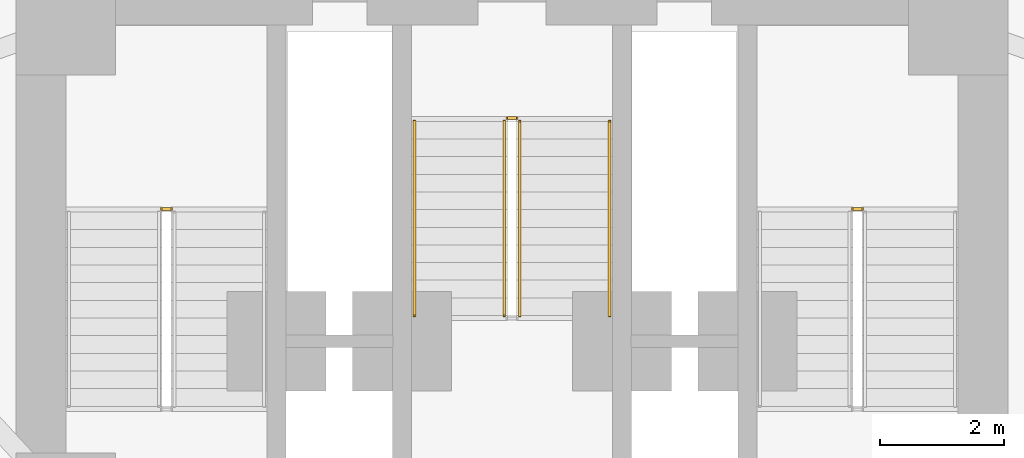
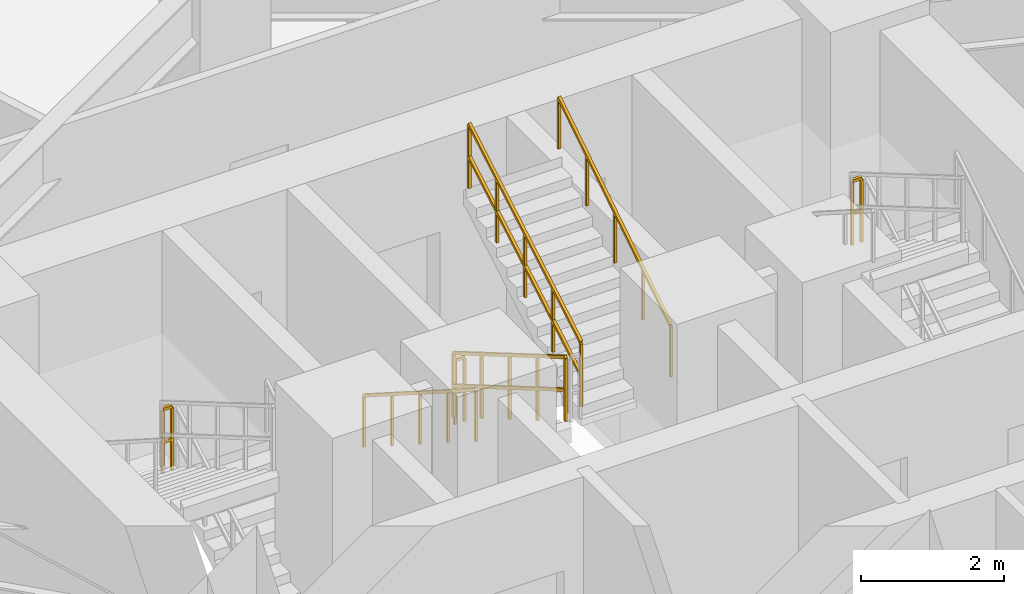
# One storey, part 11 of 12: 7 railings.
"""IFC4 building model written with IfcOpenShell, lengths in metres."""

from ifc_helpers import new_model, si_unit, direction, frame, origin, origin_2d, place, context, subcontext, project, spatial, rectangle, extrude, material, type_object, element, save


model = new_model("IFC4")

# Units and contexts
model_context = context("Model", 3, precision=1e-05, world=origin(), true_north=direction((0.0, 1.0)))
body_context = subcontext(model_context, "Body", "Model", "MODEL_VIEW")
ifc_project = project(units=[si_unit("LENGTHUNIT", "METRE"), si_unit("AREAUNIT", "SQUARE_METRE"), si_unit("VOLUMEUNIT", "CUBIC_METRE"), si_unit("PLANEANGLEUNIT", "RADIAN"), si_unit("MASSUNIT", "GRAM", prefix="KILO")], contexts=[model_context])

# Site, building, storey
site_placement = place(None, origin())
site = spatial("IfcSite", under=ifc_project, at=site_placement, CompositionType="ELEMENT")
building_placement = place(site_placement, origin())
building = spatial("IfcBuilding", under=site, at=building_placement, Name="Apsidion Concourse Tower", CompositionType="ELEMENT")
storey_placement = place(building_placement, frame((0.0, 0.0, 50.39990234375)))
storey = spatial("IfcBuildingStorey", under=building, at=storey_placement, Name="L10", CompositionType="ELEMENT", Elevation=50.39990234375)

# Railings
ifc_material = material(Name="Brushed stainless steel 316", Category="steel")
railing_type_1 = type_object("IfcRailingType", Name="RL-GUARD-1100", PredefinedType="GUARDRAIL", material=ifc_material)
for number, where, name in (
    (1, (-5.5, 6.18505859375, 2.0), "L10 ST1 stair guard 2"),
    (2, (5.64990234375, 6.18505859375, 2.0), "L10 ST2 stair guard 2"),
):
    element("IfcRailing", number, at=place(storey_placement, frame(where)), inside=storey, type_object=railing_type_1, Name=name, PredefinedType="GUARDRAIL", context=body_context, shape_type="SweptSolid", body=[
        extrude(rectangle(XDim=0.048095703125, YDim=0.048095703125, at=origin_2d()), frame((0.0, 0.0, 1.09619140625), z_axis=(-1.0, 0.0, 0.0), x_axis=(0.0, -1.0, 0.0)), (0.0, 0.0, 1.0), 0.14990234375),
        extrude(rectangle(XDim=0.048095703125, YDim=0.048095703125, at=origin_2d()), frame((0.0, 0.0, 0.5361328125), z_axis=(-1.0, 0.0, 0.0), x_axis=(0.0, -1.0, 0.0)), (0.0, 0.0, 1.0), 0.14990234375),
        extrude(rectangle(XDim=0.0419921875, YDim=0.0419921875, at=origin_2d()), origin(), (0.0, 0.0, 1.0), 1.072021484375),
        extrude(rectangle(XDim=0.0419921875, YDim=0.0419921875, at=origin_2d()), frame((-0.14990234375, 0.0, 0.0)), (0.0, 0.0, 1.0), 1.072021484375),
    ])
railing_1_placement = place(storey_placement, frame((-0.125, 7.60009765625, 0.166748046875)))
element("IfcRailing", 3, at=railing_1_placement, inside=storey, type_object=railing_type_1, Name="L10 ST3 stair guard 1", PredefinedType="GUARDRAIL", context=body_context, shape_type="SweptSolid", body=[
    extrude(rectangle(XDim=0.048095703125, YDim=0.048095703125, at=origin_2d()), frame((0.0, 0.0, 1.09619140625), z_axis=(0.0, -0.863239559939, 0.504794475164), x_axis=(1.0, 0.0, 0.0)), (0.0, 0.0, 1.0), 3.631591796875),
    extrude(rectangle(XDim=0.048095703125, YDim=0.048095703125, at=origin_2d()), frame((0.0, 0.0, 0.5361328125), z_axis=(0.0, -0.863239559939, 0.504794475164), x_axis=(1.0, 0.0, 0.0)), (0.0, 0.0, 1.0), 3.631591796875),
    extrude(rectangle(XDim=0.0419921875, YDim=0.0419921875, at=origin_2d()), origin(), (0.0, 0.0, 1.0), 1.072021484375),
    extrude(rectangle(XDim=0.0419921875, YDim=0.0419921875, at=origin_2d()), frame((0.0, -0.78369140625, 0.458251953125)), (0.0, 0.0, 1.0), 1.072021484375),
    extrude(rectangle(XDim=0.0419921875, YDim=0.0419921875, at=origin_2d()), frame((0.0, -1.5673828125, 0.91650390625)), (0.0, 0.0, 1.0), 1.072021484375),
    extrude(rectangle(XDim=0.0419921875, YDim=0.0419921875, at=origin_2d()), frame((0.0, -2.351318359375, 1.375)), (0.0, 0.0, 1.0), 1.072021484375),
    extrude(rectangle(XDim=0.0419921875, YDim=0.0419921875, at=origin_2d()), frame((0.0, -3.135009765625, 1.833251953125)), (0.0, 0.0, 1.0), 1.072021484375),
])
railing_2_placement = place(storey_placement, frame((0.125, 4.465087890625, 2.166748046875)))
element("IfcRailing", 4, at=railing_2_placement, inside=storey, type_object=railing_type_1, Name="L10 ST3 stair guard 3", PredefinedType="GUARDRAIL", context=body_context, shape_type="SweptSolid", body=[
    extrude(rectangle(XDim=0.048095703125, YDim=0.048095703125, at=origin_2d()), frame((0.0, 0.0, 1.09619140625), z_axis=(0.0, 0.863239559939, 0.504794475164), x_axis=(-1.0, 0.0, 0.0)), (0.0, 0.0, 1.0), 3.631591796875),
    extrude(rectangle(XDim=0.048095703125, YDim=0.048095703125, at=origin_2d()), frame((0.0, 0.0, 0.5361328125), z_axis=(0.0, 0.863239559939, 0.504794475164), x_axis=(-1.0, 0.0, 0.0)), (0.0, 0.0, 1.0), 3.631591796875),
    extrude(rectangle(XDim=0.0419921875, YDim=0.0419921875, at=origin_2d()), origin(), (0.0, 0.0, 1.0), 1.072021484375),
    extrude(rectangle(XDim=0.0419921875, YDim=0.0419921875, at=origin_2d()), frame((0.0, 0.78369140625, 0.458251953125)), (0.0, 0.0, 1.0), 1.072021484375),
    extrude(rectangle(XDim=0.0419921875, YDim=0.0419921875, at=origin_2d()), frame((0.0, 1.5673828125, 0.91650390625)), (0.0, 0.0, 1.0), 1.072021484375),
    extrude(rectangle(XDim=0.0419921875, YDim=0.0419921875, at=origin_2d()), frame((0.0, 2.351318359375, 1.375)), (0.0, 0.0, 1.0), 1.072021484375),
    extrude(rectangle(XDim=0.0419921875, YDim=0.0419921875, at=origin_2d()), frame((0.0, 3.135009765625, 1.833251953125)), (0.0, 0.0, 1.0), 1.072021484375),
])
railing_3_placement = place(storey_placement, frame((-0.074951171875, 7.64990234375, 0.0)))
element("IfcRailing", 5, at=railing_3_placement, inside=storey, type_object=railing_type_1, Name="L10 ST3 stair guard 4", PredefinedType="GUARDRAIL", context=body_context, shape_type="SweptSolid", body=[
    extrude(rectangle(XDim=0.048095703125, YDim=0.048095703125, at=origin_2d()), frame((0.0, 0.0, 1.09619140625), z_axis=(1.0, 0.0, 0.0), x_axis=(0.0, 1.0, 0.0)), (0.0, 0.0, 1.0), 0.14990234375),
    extrude(rectangle(XDim=0.048095703125, YDim=0.048095703125, at=origin_2d()), frame((0.0, 0.0, 0.5361328125), z_axis=(1.0, 0.0, 0.0), x_axis=(0.0, 1.0, 0.0)), (0.0, 0.0, 1.0), 0.14990234375),
    extrude(rectangle(XDim=0.0419921875, YDim=0.0419921875, at=origin_2d()), origin(), (0.0, 0.0, 1.0), 1.072021484375),
    extrude(rectangle(XDim=0.0419921875, YDim=0.0419921875, at=origin_2d()), frame((0.14990234375, 0.0, 0.0)), (0.0, 0.0, 1.0), 1.072021484375),
])
railing_type_2 = type_object("IfcRailingType", Name="RL-HAND-900", PredefinedType="HANDRAIL", material=ifc_material)
railing_4_placement = place(storey_placement, frame((-1.574951171875, 7.60009765625, 0.166748046875)))
element("IfcRailing", 6, at=railing_4_placement, inside=storey, type_object=railing_type_2, Name="L10 ST3 stair handrail 1", PredefinedType="HANDRAIL", context=body_context, shape_type="SweptSolid", body=[
    extrude(rectangle(XDim=0.048095703125, YDim=0.048095703125, at=origin_2d()), frame((0.0, 0.0, 0.8759765625), z_axis=(0.0, -0.843052688722, 0.537830980921), x_axis=(1.0, 0.0, 0.0)), (0.0, 0.0, 1.0), 3.71875),
    extrude(rectangle(XDim=0.0419921875, YDim=0.0419921875, at=origin_2d()), origin(), (0.0, 0.0, 1.0), 0.851806640625),
    extrude(rectangle(XDim=0.0419921875, YDim=0.0419921875, at=origin_2d()), frame((0.0, -0.78369140625, 0.5)), (0.0, 0.0, 1.0), 0.851806640625),
    extrude(rectangle(XDim=0.0419921875, YDim=0.0419921875, at=origin_2d()), frame((0.0, -1.5673828125, 1.0)), (0.0, 0.0, 1.0), 0.851806640625),
    extrude(rectangle(XDim=0.0419921875, YDim=0.0419921875, at=origin_2d()), frame((0.0, -2.351318359375, 1.5)), (0.0, 0.0, 1.0), 0.851806640625),
    extrude(rectangle(XDim=0.0419921875, YDim=0.0419921875, at=origin_2d()), frame((0.0, -3.135009765625, 2.0)), (0.0, 0.0, 1.0), 0.851806640625),
])
railing_5_placement = place(storey_placement, frame((1.574951171875, 4.465087890625, 2.166748046875)))
element("IfcRailing", 7, at=railing_5_placement, inside=storey, type_object=railing_type_2, Name="L10 ST3 stair handrail 2", PredefinedType="HANDRAIL", context=body_context, shape_type="SweptSolid", body=[
    extrude(rectangle(XDim=0.048095703125, YDim=0.048095703125, at=origin_2d()), frame((0.0, 0.0, 0.8759765625), z_axis=(0.0, 0.843052688722, 0.537830980921), x_axis=(-1.0, 0.0, 0.0)), (0.0, 0.0, 1.0), 3.71875),
    extrude(rectangle(XDim=0.0419921875, YDim=0.0419921875, at=origin_2d()), origin(), (0.0, 0.0, 1.0), 0.851806640625),
    extrude(rectangle(XDim=0.0419921875, YDim=0.0419921875, at=origin_2d()), frame((0.0, 0.78369140625, 0.5)), (0.0, 0.0, 1.0), 0.851806640625),
    extrude(rectangle(XDim=0.0419921875, YDim=0.0419921875, at=origin_2d()), frame((0.0, 1.5673828125, 1.0)), (0.0, 0.0, 1.0), 0.851806640625),
    extrude(rectangle(XDim=0.0419921875, YDim=0.0419921875, at=origin_2d()), frame((0.0, 2.351318359375, 1.5)), (0.0, 0.0, 1.0), 0.851806640625),
    extrude(rectangle(XDim=0.0419921875, YDim=0.0419921875, at=origin_2d()), frame((0.0, 3.135009765625, 2.0)), (0.0, 0.0, 1.0), 0.851806640625),
])

save(model, "model.ifc")
